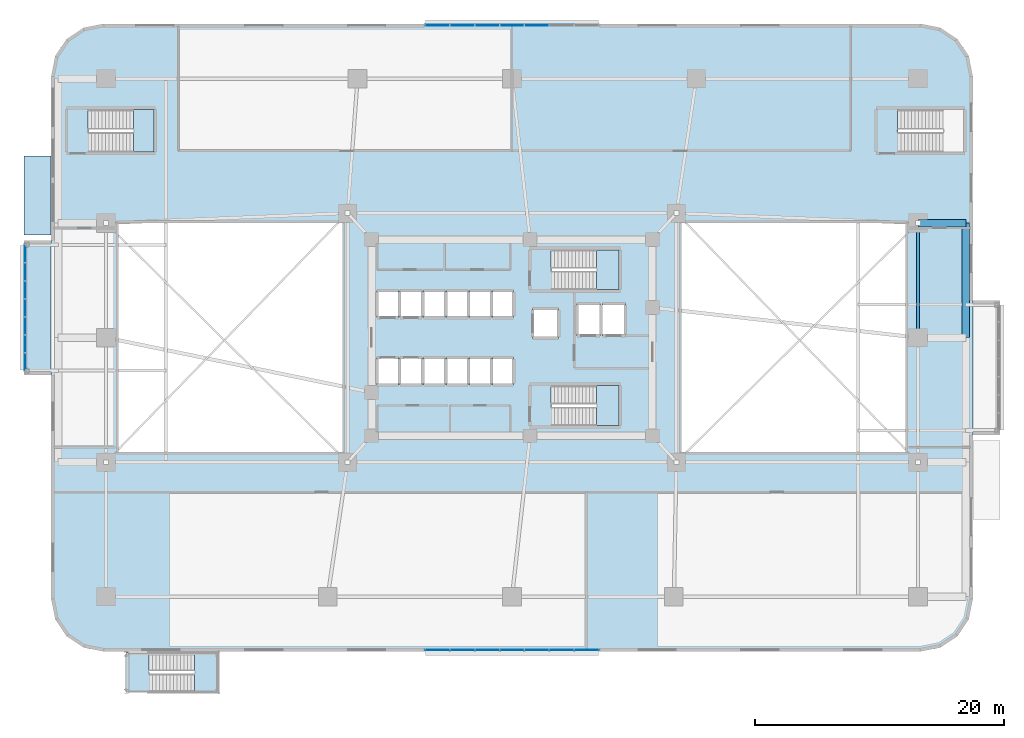
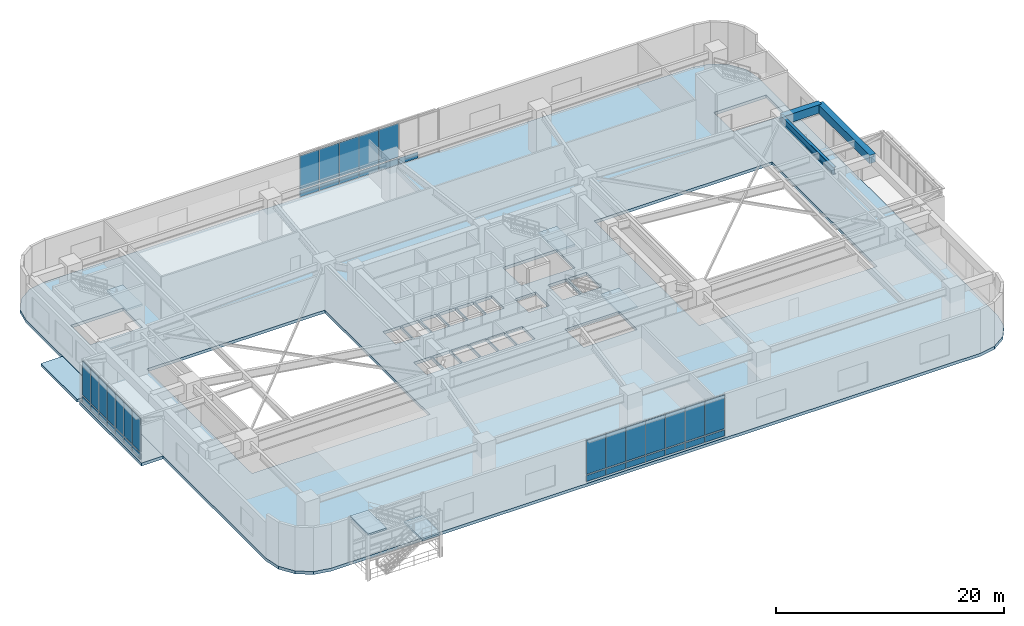
# One storey, part 15 of 26: 39 plates, 8 slabs, 3 beams, 7 elements without a shape of their own.
"""IFC4 building model written with IfcOpenShell, lengths in metres."""

from ifc_helpers import new_model, si_unit, direction, frame, origin, origin_2d, place, context, subcontext, project, spatial, polyline, rectangle, i_section, outline, extrude, material, layer, layer_set, material_profile, profile_set, type_object, element, aggregate, save


model = new_model("IFC4")

# Units and contexts
model_context = context("Model", 3, precision=1e-05, world=origin(), true_north=direction((0.0, 1.0)))
body_context = subcontext(model_context, "Body", "Model", "MODEL_VIEW")
ifc_project = project(units=[si_unit("LENGTHUNIT", "METRE"), si_unit("AREAUNIT", "SQUARE_METRE"), si_unit("VOLUMEUNIT", "CUBIC_METRE"), si_unit("PLANEANGLEUNIT", "RADIAN"), si_unit("MASSUNIT", "GRAM", prefix="KILO")], contexts=[model_context])

# Site, building, storey
site_placement = place(None, origin())
site = spatial("IfcSite", under=ifc_project, at=site_placement, CompositionType="ELEMENT")
building_placement = place(site_placement, origin())
building = spatial("IfcBuilding", under=site, at=building_placement, Name="Zulverin Broadcast Headquarters", CompositionType="ELEMENT")
storey_placement = place(building_placement, frame((0.0, 0.0, 15.0)))
storey = spatial("IfcBuildingStorey", under=building, at=storey_placement, Name="L03", CompositionType="ELEMENT", Elevation=15.0)

# Beams
ifc_material_1 = material(Name="Concrete C40/50", Category="concrete")
ifc_material_profile_1 = material_profile(ifc_material_1, rectangle(XDim=0.60009765625, YDim=0.89990234375, at=origin_2d()), Name="Concrete C40/50", Category="concrete")
ifc_profile_set_1 = profile_set([ifc_material_profile_1], Name="Concrete C40/50")
beam_type_1 = type_object("IfcBeamType", Name="BM-RC-600x900", PredefinedType="BEAM", material=ifc_profile_set_1)
beam_1_placement = place(storey_placement, frame((69.60009765625, 34.39990234375, 4.22998046875), z_axis=(1.0, 0.0, 0.0), x_axis=(0.0, 1.0, 0.0)))
element("IfcBeam", 1, at=beam_1_placement, inside=storey, type_object=beam_type_1, Name="L03 East Perimeter Bracket Girder EBR-4", PredefinedType="BEAM", context=body_context, shape_type="SweptSolid", body=[
    extrude(rectangle(XDim=0.60009765625, YDim=0.89990234375, at=origin_2d()), origin(), (0.0, 0.0, 1.0), 3.849853515625),
])
beam_2_placement = place(storey_placement, frame((73.449951171875, 25.199951171875, 4.22998046875), z_axis=(0.0, 1.0, 0.0), x_axis=(-1.0, 0.0, 0.0)))
element("IfcBeam", 2, at=beam_2_placement, inside=storey, type_object=beam_type_1, Name="L03 East Edge Spandrel Girder EEG-3", PredefinedType="BEAM", context=body_context, shape_type="SweptSolid", body=[
    extrude(rectangle(XDim=0.60009765625, YDim=0.89990234375, at=origin_2d()), origin(), (0.0, 0.0, 1.0), 9.199951171875),
])
ifc_material_2 = material(Name="Structural steel S355JR", Category="steel")
ifc_material_profile_2 = material_profile(ifc_material_2, i_section(OverallWidth=0.26806640625, OverallDepth=0.769775390625, WebThickness=0.015625, FlangeThickness=0.025390625, at=origin_2d()), Name="Structural steel S355JR", Category="steel")
ifc_profile_set_2 = profile_set([ifc_material_profile_2], Name="Structural steel S355JR")
beam_type_2 = type_object("IfcBeamType", Name="BM-UB-762", PredefinedType="BEAM", material=ifc_profile_set_2)
beam_3_placement = place(storey_placement, frame((69.60009765625, 25.199951171875, 4.295166015625), z_axis=(0.0, 1.0, 0.0), x_axis=(-1.0, 0.0, 0.0)))
element("IfcBeam", 3, at=beam_3_placement, inside=storey, type_object=beam_type_2, Name="L03 Podium Primary Girder P15-P16", PredefinedType="BEAM", context=body_context, shape_type="SweptSolid", body=[
    extrude(i_section(OverallWidth=0.26806640625, OverallDepth=0.769775390625, WebThickness=0.015625, FlangeThickness=0.025390625, at=origin_2d()), origin(), (0.0, 0.0, 1.0), 9.199951171875),
])

# Curtain wall, plates
ifc_material_3 = material(Name="Pale-metal unitised podium curtain wall", Category="aluminium")
curtain_wall_type_1 = type_object("IfcCurtainWallType", Name="CW-POD", PredefinedType="USERDEFINED", material=ifc_material_3)
curtain_wall_1_placement = place(storey_placement, origin())
curtain_wall_1 = element("IfcCurtainWall", 4, at=curtain_wall_1_placement, inside=storey, type_object=curtain_wall_type_1, Name="L03 Unitised Curtain Wall CW-L03-N2", ObjectType="UNITISED CURTAIN WALL", PredefinedType="USERDEFINED")
ifc_material_4 = material(Name="Low-E double-glazed pale-silver vision glass", Category="glass")
ifc_layer_1 = layer(ifc_material_4, 0.035888671875, Name="Low-E double-glazed pale-silver vision glass", Category="glass")
ifc_layer_set_1 = layer_set([ifc_layer_1], Name="Low-E double-glazed pale-silver vision glass")
plate_type_1 = type_object("IfcPlateType", Name="CW-PNL-GLZ", PredefinedType="CURTAIN_PANEL", material=ifc_layer_set_1)
plate_1_placement = place(storey_placement, frame((39.0, 50.280029296875, 0.9150390625), z_axis=(0.0, 0.0, 1.0), x_axis=(-1.0, 0.0, 0.0)))
plate_1 = element("IfcPlate", 5, at=plate_1_placement, type_object=plate_type_1, Name="CW-L03-N2 Vision Panel 02", PredefinedType="CURTAIN_PANEL", context=body_context, shape_type="SweptSolid", body=[
    extrude(rectangle(XDim=1.9599609375, YDim=0.035888671875, at=origin_2d()), origin(), (0.0, 0.0, 1.0), 3.625),
])
plate_2_placement = place(storey_placement, frame((37.0, 50.280029296875, 0.9150390625), z_axis=(0.0, 0.0, 1.0), x_axis=(-1.0, 0.0, 0.0)))
plate_2 = element("IfcPlate", 6, at=plate_2_placement, type_object=plate_type_1, Name="CW-L03-N2 Vision Panel 03", PredefinedType="CURTAIN_PANEL", context=body_context, shape_type="SweptSolid", body=[
    extrude(rectangle(XDim=1.9599609375, YDim=0.035888671875, at=origin_2d()), origin(), (0.0, 0.0, 1.0), 3.625),
])
plate_3_placement = place(storey_placement, frame((35.0, 50.280029296875, 0.9150390625), z_axis=(0.0, 0.0, 1.0), x_axis=(-1.0, 0.0, 0.0)))
plate_3 = element("IfcPlate", 7, at=plate_3_placement, type_object=plate_type_1, Name="CW-L03-N2 Vision Panel 04", PredefinedType="CURTAIN_PANEL", context=body_context, shape_type="SweptSolid", body=[
    extrude(rectangle(XDim=1.9599609375, YDim=0.035888671875, at=origin_2d()), origin(), (0.0, 0.0, 1.0), 3.625),
])
plate_4_placement = place(storey_placement, frame((33.0, 50.280029296875, 0.9150390625), z_axis=(0.0, 0.0, 1.0), x_axis=(-1.0, 0.0, 0.0)))
plate_4 = element("IfcPlate", 8, at=plate_4_placement, type_object=plate_type_1, Name="CW-L03-N2 Vision Panel 05", PredefinedType="CURTAIN_PANEL", context=body_context, shape_type="SweptSolid", body=[
    extrude(rectangle(XDim=1.9599609375, YDim=0.035888671875, at=origin_2d()), origin(), (0.0, 0.0, 1.0), 3.625),
])
plate_5_placement = place(storey_placement, frame((31.0, 50.280029296875, 0.9150390625), z_axis=(0.0, 0.0, 1.0), x_axis=(-1.0, 0.0, 0.0)))
plate_5 = element("IfcPlate", 9, at=plate_5_placement, type_object=plate_type_1, Name="CW-L03-N2 Vision Panel 06", PredefinedType="CURTAIN_PANEL", context=body_context, shape_type="SweptSolid", body=[
    extrude(rectangle(XDim=1.9599609375, YDim=0.035888671875, at=origin_2d()), origin(), (0.0, 0.0, 1.0), 3.625),
])

curtain_wall_2_placement = place(storey_placement, origin())
curtain_wall_2 = element("IfcCurtainWall", 10, at=curtain_wall_2_placement, inside=storey, type_object=curtain_wall_type_1, Name="L03 Unitised Curtain Wall CW-L03-S4", ObjectType="UNITISED CURTAIN WALL", PredefinedType="USERDEFINED")
plate_6_placement = place(storey_placement, frame((31.0, 0.1201171875, 0.9150390625), z_axis=(0.0, 0.0, 1.0), x_axis=(1.0, 0.0, 0.0)))
plate_6 = element("IfcPlate", 11, at=plate_6_placement, type_object=plate_type_1, Name="CW-L03-S4 Vision Panel 00", PredefinedType="CURTAIN_PANEL", context=body_context, shape_type="SweptSolid", body=[
    extrude(rectangle(XDim=1.9599609375, YDim=0.035888671875, at=origin_2d()), origin(), (0.0, 0.0, 1.0), 3.625),
])
plate_7_placement = place(storey_placement, frame((33.0, 0.1201171875, 0.9150390625), z_axis=(0.0, 0.0, 1.0), x_axis=(1.0, 0.0, 0.0)))
plate_7 = element("IfcPlate", 12, at=plate_7_placement, type_object=plate_type_1, Name="CW-L03-S4 Vision Panel 01", PredefinedType="CURTAIN_PANEL", context=body_context, shape_type="SweptSolid", body=[
    extrude(rectangle(XDim=1.9599609375, YDim=0.035888671875, at=origin_2d()), origin(), (0.0, 0.0, 1.0), 3.625),
])
plate_8_placement = place(storey_placement, frame((35.0, 0.1201171875, 0.9150390625), z_axis=(0.0, 0.0, 1.0), x_axis=(1.0, 0.0, 0.0)))
plate_8 = element("IfcPlate", 13, at=plate_8_placement, type_object=plate_type_1, Name="CW-L03-S4 Vision Panel 02", PredefinedType="CURTAIN_PANEL", context=body_context, shape_type="SweptSolid", body=[
    extrude(rectangle(XDim=1.9599609375, YDim=0.035888671875, at=origin_2d()), origin(), (0.0, 0.0, 1.0), 3.625),
])
plate_9_placement = place(storey_placement, frame((37.0, 0.1201171875, 0.9150390625), z_axis=(0.0, 0.0, 1.0), x_axis=(1.0, 0.0, 0.0)))
plate_9 = element("IfcPlate", 14, at=plate_9_placement, type_object=plate_type_1, Name="CW-L03-S4 Vision Panel 03", PredefinedType="CURTAIN_PANEL", context=body_context, shape_type="SweptSolid", body=[
    extrude(rectangle(XDim=1.9599609375, YDim=0.035888671875, at=origin_2d()), origin(), (0.0, 0.0, 1.0), 3.625),
])
plate_10_placement = place(storey_placement, frame((39.0, 0.1201171875, 0.9150390625), z_axis=(0.0, 0.0, 1.0), x_axis=(1.0, 0.0, 0.0)))
plate_10 = element("IfcPlate", 15, at=plate_10_placement, type_object=plate_type_1, Name="CW-L03-S4 Vision Panel 04", PredefinedType="CURTAIN_PANEL", context=body_context, shape_type="SweptSolid", body=[
    extrude(rectangle(XDim=1.9599609375, YDim=0.035888671875, at=origin_2d()), origin(), (0.0, 0.0, 1.0), 3.625),
])
plate_11_placement = place(storey_placement, frame((41.0, 0.1201171875, 0.9150390625), z_axis=(0.0, 0.0, 1.0), x_axis=(1.0, 0.0, 0.0)))
plate_11 = element("IfcPlate", 16, at=plate_11_placement, type_object=plate_type_1, Name="CW-L03-S4 Vision Panel 05", PredefinedType="CURTAIN_PANEL", context=body_context, shape_type="SweptSolid", body=[
    extrude(rectangle(XDim=1.9599609375, YDim=0.035888671875, at=origin_2d()), origin(), (0.0, 0.0, 1.0), 3.625),
])
plate_12_placement = place(storey_placement, frame((43.0, 0.1201171875, 0.9150390625), z_axis=(0.0, 0.0, 1.0), x_axis=(1.0, 0.0, 0.0)))
plate_12 = element("IfcPlate", 17, at=plate_12_placement, type_object=plate_type_1, Name="CW-L03-S4 Vision Panel 06", PredefinedType="CURTAIN_PANEL", context=body_context, shape_type="SweptSolid", body=[
    extrude(rectangle(XDim=1.9599609375, YDim=0.035888671875, at=origin_2d()), origin(), (0.0, 0.0, 1.0), 3.625),
])

ifc_material_5 = material(Name="Acoustic triple-glazed studio box curtain wall", Category="aluminium")
curtain_wall_type_2 = type_object("IfcCurtainWallType", Name="CW-SBOX", PredefinedType="USERDEFINED", material=ifc_material_5)
curtain_wall_3_placement = place(storey_placement, origin())
curtain_wall_3 = element("IfcCurtainWall", 18, at=curtain_wall_3_placement, inside=storey, type_object=curtain_wall_type_2, Name="L03 Unitised Curtain Wall CW-L03-SBOX_POD_UPPER_W1-F", ObjectType="UNITISED CURTAIN WALL", PredefinedType="USERDEFINED")
plate_13_placement = place(storey_placement, frame((-2.080078125, 31.954345703125, 0.9150390625), z_axis=(0.0, 0.0, 1.0), x_axis=(0.0, -1.0, 0.0)))
plate_13 = element("IfcPlate", 19, at=plate_13_placement, type_object=plate_type_1, Name="CW-L03-SBOX_POD_UPPER_W1-F Vision Panel 00", PredefinedType="CURTAIN_PANEL", context=body_context, shape_type="SweptSolid", body=[
    extrude(rectangle(XDim=1.411376953125, YDim=0.035888671875, at=origin_2d()), origin(), (0.0, 0.0, 1.0), 3.625),
])
plate_14_placement = place(storey_placement, frame((-2.080078125, 30.5029296875, 0.9150390625), z_axis=(0.0, 0.0, 1.0), x_axis=(0.0, -1.0, 0.0)))
plate_14 = element("IfcPlate", 20, at=plate_14_placement, type_object=plate_type_1, Name="CW-L03-SBOX_POD_UPPER_W1-F Vision Panel 01", PredefinedType="CURTAIN_PANEL", context=body_context, shape_type="SweptSolid", body=[
    extrude(rectangle(XDim=1.411376953125, YDim=0.035888671875, at=origin_2d()), origin(), (0.0, 0.0, 1.0), 3.625),
])
plate_15_placement = place(storey_placement, frame((-2.080078125, 29.051513671875, 0.9150390625), z_axis=(0.0, 0.0, 1.0), x_axis=(0.0, -1.0, 0.0)))
plate_15 = element("IfcPlate", 21, at=plate_15_placement, type_object=plate_type_1, Name="CW-L03-SBOX_POD_UPPER_W1-F Vision Panel 02", PredefinedType="CURTAIN_PANEL", context=body_context, shape_type="SweptSolid", body=[
    extrude(rectangle(XDim=1.411376953125, YDim=0.035888671875, at=origin_2d()), origin(), (0.0, 0.0, 1.0), 3.625),
])
plate_16_placement = place(storey_placement, frame((-2.080078125, 27.60009765625, 0.9150390625), z_axis=(0.0, 0.0, 1.0), x_axis=(0.0, -1.0, 0.0)))
plate_16 = element("IfcPlate", 22, at=plate_16_placement, type_object=plate_type_1, Name="CW-L03-SBOX_POD_UPPER_W1-F Vision Panel 03", PredefinedType="CURTAIN_PANEL", context=body_context, shape_type="SweptSolid", body=[
    extrude(rectangle(XDim=1.411376953125, YDim=0.035888671875, at=origin_2d()), origin(), (0.0, 0.0, 1.0), 3.625),
])
plate_17_placement = place(storey_placement, frame((-2.080078125, 26.148681640625, 0.9150390625), z_axis=(0.0, 0.0, 1.0), x_axis=(0.0, -1.0, 0.0)))
plate_17 = element("IfcPlate", 23, at=plate_17_placement, type_object=plate_type_1, Name="CW-L03-SBOX_POD_UPPER_W1-F Vision Panel 04", PredefinedType="CURTAIN_PANEL", context=body_context, shape_type="SweptSolid", body=[
    extrude(rectangle(XDim=1.411376953125, YDim=0.035888671875, at=origin_2d()), origin(), (0.0, 0.0, 1.0), 3.625),
])
plate_18_placement = place(storey_placement, frame((-2.080078125, 24.697021484375, 0.9150390625), z_axis=(0.0, 0.0, 1.0), x_axis=(0.0, -1.0, 0.0)))
plate_18 = element("IfcPlate", 24, at=plate_18_placement, type_object=plate_type_1, Name="CW-L03-SBOX_POD_UPPER_W1-F Vision Panel 05", PredefinedType="CURTAIN_PANEL", context=body_context, shape_type="SweptSolid", body=[
    extrude(rectangle(XDim=1.411376953125, YDim=0.035888671875, at=origin_2d()), origin(), (0.0, 0.0, 1.0), 3.625),
])
plate_19_placement = place(storey_placement, frame((-2.080078125, 23.24560546875, 0.9150390625), z_axis=(0.0, 0.0, 1.0), x_axis=(0.0, -1.0, 0.0)))
plate_19 = element("IfcPlate", 25, at=plate_19_placement, type_object=plate_type_1, Name="CW-L03-SBOX_POD_UPPER_W1-F Vision Panel 06", PredefinedType="CURTAIN_PANEL", context=body_context, shape_type="SweptSolid", body=[
    extrude(rectangle(XDim=1.411376953125, YDim=0.035888671875, at=origin_2d()), origin(), (0.0, 0.0, 1.0), 3.625),
])

# Plate
ifc_material_6 = material(Name="Insulated brushed pale-aluminium spandrel cassette", Category="aluminium")
ifc_layer_2 = layer(ifc_material_6, 0.050048828125, Name="Insulated brushed pale-aluminium spandrel cassette", Category="aluminium")
ifc_layer_set_2 = layer_set([ifc_layer_2], Name="Insulated brushed pale-aluminium spandrel cassette")
plate_type_2 = type_object("IfcPlateType", Name="CW-PNL-SPN", PredefinedType="CURTAIN_PANEL", material=ifc_layer_set_2)
plate_20_placement = place(storey_placement, frame((41.0, 50.280029296875, 0.139892578125), z_axis=(0.0, 0.0, 1.0), x_axis=(-1.0, 0.0, 0.0)))
plate_20 = element("IfcPlate", 26, at=plate_20_placement, type_object=plate_type_2, Name="CW-L03-N2 Spandrel Cassette 01", PredefinedType="CURTAIN_PANEL", context=body_context, shape_type="SweptSolid", body=[
    extrude(rectangle(XDim=1.9599609375, YDim=0.050048828125, at=origin_2d()), origin(), (0.0, 0.0, 1.0), 0.64501953125),
])

plate_21_placement = place(storey_placement, frame((39.0, 50.280029296875, 0.139892578125), z_axis=(0.0, 0.0, 1.0), x_axis=(-1.0, 0.0, 0.0)))
plate_21 = element("IfcPlate", 27, at=plate_21_placement, type_object=plate_type_2, Name="CW-L03-N2 Spandrel Cassette 02", PredefinedType="CURTAIN_PANEL", context=body_context, shape_type="SweptSolid", body=[
    extrude(rectangle(XDim=1.9599609375, YDim=0.050048828125, at=origin_2d()), origin(), (0.0, 0.0, 1.0), 0.64501953125),
])

plate_22_placement = place(storey_placement, frame((37.0, 50.280029296875, 0.139892578125), z_axis=(0.0, 0.0, 1.0), x_axis=(-1.0, 0.0, 0.0)))
plate_22 = element("IfcPlate", 28, at=plate_22_placement, type_object=plate_type_2, Name="CW-L03-N2 Spandrel Cassette 03", PredefinedType="CURTAIN_PANEL", context=body_context, shape_type="SweptSolid", body=[
    extrude(rectangle(XDim=1.9599609375, YDim=0.050048828125, at=origin_2d()), origin(), (0.0, 0.0, 1.0), 0.64501953125),
])

plate_23_placement = place(storey_placement, frame((35.0, 50.280029296875, 0.139892578125), z_axis=(0.0, 0.0, 1.0), x_axis=(-1.0, 0.0, 0.0)))
plate_23 = element("IfcPlate", 29, at=plate_23_placement, type_object=plate_type_2, Name="CW-L03-N2 Spandrel Cassette 04", PredefinedType="CURTAIN_PANEL", context=body_context, shape_type="SweptSolid", body=[
    extrude(rectangle(XDim=1.9599609375, YDim=0.050048828125, at=origin_2d()), origin(), (0.0, 0.0, 1.0), 0.64501953125),
])

plate_24_placement = place(storey_placement, frame((33.0, 50.280029296875, 0.139892578125), z_axis=(0.0, 0.0, 1.0), x_axis=(-1.0, 0.0, 0.0)))
plate_24 = element("IfcPlate", 30, at=plate_24_placement, type_object=plate_type_2, Name="CW-L03-N2 Spandrel Cassette 05", PredefinedType="CURTAIN_PANEL", context=body_context, shape_type="SweptSolid", body=[
    extrude(rectangle(XDim=1.9599609375, YDim=0.050048828125, at=origin_2d()), origin(), (0.0, 0.0, 1.0), 0.64501953125),
])

plate_25_placement = place(storey_placement, frame((31.0, 50.280029296875, 0.139892578125), z_axis=(0.0, 0.0, 1.0), x_axis=(-1.0, 0.0, 0.0)))
plate_25 = element("IfcPlate", 31, at=plate_25_placement, type_object=plate_type_2, Name="CW-L03-N2 Spandrel Cassette 06", PredefinedType="CURTAIN_PANEL", context=body_context, shape_type="SweptSolid", body=[
    extrude(rectangle(XDim=1.9599609375, YDim=0.050048828125, at=origin_2d()), origin(), (0.0, 0.0, 1.0), 0.64501953125),
])

aggregate(curtain_wall_1, [plate_20, plate_21, plate_1, plate_22, plate_2, plate_23, plate_3, plate_24, plate_4, plate_25, plate_5])

plate_26_placement = place(storey_placement, frame((31.0, 0.1201171875, 0.139892578125), z_axis=(0.0, 0.0, 1.0), x_axis=(1.0, 0.0, 0.0)))
plate_26 = element("IfcPlate", 32, at=plate_26_placement, type_object=plate_type_2, Name="CW-L03-S4 Spandrel Cassette 00", PredefinedType="CURTAIN_PANEL", context=body_context, shape_type="SweptSolid", body=[
    extrude(rectangle(XDim=1.9599609375, YDim=0.050048828125, at=origin_2d()), origin(), (0.0, 0.0, 1.0), 0.64501953125),
])

plate_27_placement = place(storey_placement, frame((33.0, 0.1201171875, 0.139892578125), z_axis=(0.0, 0.0, 1.0), x_axis=(1.0, 0.0, 0.0)))
plate_27 = element("IfcPlate", 33, at=plate_27_placement, type_object=plate_type_2, Name="CW-L03-S4 Spandrel Cassette 01", PredefinedType="CURTAIN_PANEL", context=body_context, shape_type="SweptSolid", body=[
    extrude(rectangle(XDim=1.9599609375, YDim=0.050048828125, at=origin_2d()), origin(), (0.0, 0.0, 1.0), 0.64501953125),
])

plate_28_placement = place(storey_placement, frame((35.0, 0.1201171875, 0.139892578125), z_axis=(0.0, 0.0, 1.0), x_axis=(1.0, 0.0, 0.0)))
plate_28 = element("IfcPlate", 34, at=plate_28_placement, type_object=plate_type_2, Name="CW-L03-S4 Spandrel Cassette 02", PredefinedType="CURTAIN_PANEL", context=body_context, shape_type="SweptSolid", body=[
    extrude(rectangle(XDim=1.9599609375, YDim=0.050048828125, at=origin_2d()), origin(), (0.0, 0.0, 1.0), 0.64501953125),
])

plate_29_placement = place(storey_placement, frame((37.0, 0.1201171875, 0.139892578125), z_axis=(0.0, 0.0, 1.0), x_axis=(1.0, 0.0, 0.0)))
plate_29 = element("IfcPlate", 35, at=plate_29_placement, type_object=plate_type_2, Name="CW-L03-S4 Spandrel Cassette 03", PredefinedType="CURTAIN_PANEL", context=body_context, shape_type="SweptSolid", body=[
    extrude(rectangle(XDim=1.9599609375, YDim=0.050048828125, at=origin_2d()), origin(), (0.0, 0.0, 1.0), 0.64501953125),
])

plate_30_placement = place(storey_placement, frame((39.0, 0.1201171875, 0.139892578125), z_axis=(0.0, 0.0, 1.0), x_axis=(1.0, 0.0, 0.0)))
plate_30 = element("IfcPlate", 36, at=plate_30_placement, type_object=plate_type_2, Name="CW-L03-S4 Spandrel Cassette 04", PredefinedType="CURTAIN_PANEL", context=body_context, shape_type="SweptSolid", body=[
    extrude(rectangle(XDim=1.9599609375, YDim=0.050048828125, at=origin_2d()), origin(), (0.0, 0.0, 1.0), 0.64501953125),
])

plate_31_placement = place(storey_placement, frame((41.0, 0.1201171875, 0.139892578125), z_axis=(0.0, 0.0, 1.0), x_axis=(1.0, 0.0, 0.0)))
plate_31 = element("IfcPlate", 37, at=plate_31_placement, type_object=plate_type_2, Name="CW-L03-S4 Spandrel Cassette 05", PredefinedType="CURTAIN_PANEL", context=body_context, shape_type="SweptSolid", body=[
    extrude(rectangle(XDim=1.9599609375, YDim=0.050048828125, at=origin_2d()), origin(), (0.0, 0.0, 1.0), 0.64501953125),
])

plate_32_placement = place(storey_placement, frame((43.0, 0.1201171875, 0.139892578125), z_axis=(0.0, 0.0, 1.0), x_axis=(1.0, 0.0, 0.0)))
plate_32 = element("IfcPlate", 38, at=plate_32_placement, type_object=plate_type_2, Name="CW-L03-S4 Spandrel Cassette 06", PredefinedType="CURTAIN_PANEL", context=body_context, shape_type="SweptSolid", body=[
    extrude(rectangle(XDim=1.9599609375, YDim=0.050048828125, at=origin_2d()), origin(), (0.0, 0.0, 1.0), 0.64501953125),
])

aggregate(curtain_wall_2, [plate_26, plate_6, plate_27, plate_7, plate_28, plate_8, plate_29, plate_9, plate_30, plate_10, plate_31, plate_11, plate_32, plate_12])

plate_33_placement = place(storey_placement, frame((-2.080078125, 31.954345703125, 0.139892578125), z_axis=(0.0, 0.0, 1.0), x_axis=(0.0, -1.0, 0.0)))
plate_33 = element("IfcPlate", 39, at=plate_33_placement, type_object=plate_type_2, Name="CW-L03-SBOX_POD_UPPER_W1-F Spandrel Cassette 00", PredefinedType="CURTAIN_PANEL", context=body_context, shape_type="SweptSolid", body=[
    extrude(rectangle(XDim=1.411376953125, YDim=0.050048828125, at=origin_2d()), origin(), (0.0, 0.0, 1.0), 0.64501953125),
])

plate_34_placement = place(storey_placement, frame((-2.080078125, 30.5029296875, 0.139892578125), z_axis=(0.0, 0.0, 1.0), x_axis=(0.0, -1.0, 0.0)))
plate_34 = element("IfcPlate", 40, at=plate_34_placement, type_object=plate_type_2, Name="CW-L03-SBOX_POD_UPPER_W1-F Spandrel Cassette 01", PredefinedType="CURTAIN_PANEL", context=body_context, shape_type="SweptSolid", body=[
    extrude(rectangle(XDim=1.411376953125, YDim=0.050048828125, at=origin_2d()), origin(), (0.0, 0.0, 1.0), 0.64501953125),
])

plate_35_placement = place(storey_placement, frame((-2.080078125, 29.051513671875, 0.139892578125), z_axis=(0.0, 0.0, 1.0), x_axis=(0.0, -1.0, 0.0)))
plate_35 = element("IfcPlate", 41, at=plate_35_placement, type_object=plate_type_2, Name="CW-L03-SBOX_POD_UPPER_W1-F Spandrel Cassette 02", PredefinedType="CURTAIN_PANEL", context=body_context, shape_type="SweptSolid", body=[
    extrude(rectangle(XDim=1.411376953125, YDim=0.050048828125, at=origin_2d()), origin(), (0.0, 0.0, 1.0), 0.64501953125),
])

plate_36_placement = place(storey_placement, frame((-2.080078125, 27.60009765625, 0.139892578125), z_axis=(0.0, 0.0, 1.0), x_axis=(0.0, -1.0, 0.0)))
plate_36 = element("IfcPlate", 42, at=plate_36_placement, type_object=plate_type_2, Name="CW-L03-SBOX_POD_UPPER_W1-F Spandrel Cassette 03", PredefinedType="CURTAIN_PANEL", context=body_context, shape_type="SweptSolid", body=[
    extrude(rectangle(XDim=1.411376953125, YDim=0.050048828125, at=origin_2d()), origin(), (0.0, 0.0, 1.0), 0.64501953125),
])

plate_37_placement = place(storey_placement, frame((-2.080078125, 26.148681640625, 0.139892578125), z_axis=(0.0, 0.0, 1.0), x_axis=(0.0, -1.0, 0.0)))
plate_37 = element("IfcPlate", 43, at=plate_37_placement, type_object=plate_type_2, Name="CW-L03-SBOX_POD_UPPER_W1-F Spandrel Cassette 04", PredefinedType="CURTAIN_PANEL", context=body_context, shape_type="SweptSolid", body=[
    extrude(rectangle(XDim=1.411376953125, YDim=0.050048828125, at=origin_2d()), origin(), (0.0, 0.0, 1.0), 0.64501953125),
])

plate_38_placement = place(storey_placement, frame((-2.080078125, 24.697021484375, 0.139892578125), z_axis=(0.0, 0.0, 1.0), x_axis=(0.0, -1.0, 0.0)))
plate_38 = element("IfcPlate", 44, at=plate_38_placement, type_object=plate_type_2, Name="CW-L03-SBOX_POD_UPPER_W1-F Spandrel Cassette 05", PredefinedType="CURTAIN_PANEL", context=body_context, shape_type="SweptSolid", body=[
    extrude(rectangle(XDim=1.411376953125, YDim=0.050048828125, at=origin_2d()), origin(), (0.0, 0.0, 1.0), 0.64501953125),
])

plate_39_placement = place(storey_placement, frame((-2.080078125, 23.24560546875, 0.139892578125), z_axis=(0.0, 0.0, 1.0), x_axis=(0.0, -1.0, 0.0)))
plate_39 = element("IfcPlate", 45, at=plate_39_placement, type_object=plate_type_2, Name="CW-L03-SBOX_POD_UPPER_W1-F Spandrel Cassette 06", PredefinedType="CURTAIN_PANEL", context=body_context, shape_type="SweptSolid", body=[
    extrude(rectangle(XDim=1.411376953125, YDim=0.050048828125, at=origin_2d()), origin(), (0.0, 0.0, 1.0), 0.64501953125),
])

aggregate(curtain_wall_3, [plate_33, plate_13, plate_34, plate_14, plate_35, plate_15, plate_36, plate_16, plate_37, plate_17, plate_38, plate_18, plate_39, plate_19])

# Slabs
ifc_layer_3 = layer(ifc_material_1, 0.300048828125, Name="Concrete C40/50", Category="concrete")
ifc_layer_set_3 = layer_set([ifc_layer_3], Name="Concrete C40/50")
slab_type_1 = type_object("IfcSlabType", Name="SLB-POD-300", PredefinedType="FLOOR", material=ifc_layer_set_3)
slab_1_placement = place(storey_placement, frame((0.0, 0.0, -0.320068359375)))
element("IfcSlab", 46, at=slab_1_placement, inside=storey, type_object=slab_type_1, Name="L03 Shifted Studio Box Acoustic Closure Slab SBOX_POD_LOWER_W1", PredefinedType="FLOOR", context=body_context, shape_type="SweptSolid", body=[
    extrude(outline(polyline([(0.0, 39.800048828125), (-2.199951171875, 39.800048828125), (-2.199951171875, 33.451904296875), (0.0, 33.451904296875), (0.0, 39.800048828125)])), origin(), (0.0, 0.0, 1.0), 0.300048828125),
])
ifc_layer_4 = layer(ifc_material_1, 0.320068359375, Name="Concrete C40/50", Category="concrete")
ifc_layer_set_4 = layer_set([ifc_layer_4], Name="Concrete C40/50")
slab_type_2 = type_object("IfcSlabType", Name="SLB-POD-320", PredefinedType="FLOOR", material=ifc_layer_set_4)
slab_2_placement = place(storey_placement, frame((0.0, 0.0, -0.320068359375)))
element("IfcSlab", 47, at=slab_2_placement, inside=storey, type_object=slab_type_2, Name="L03 Main Structural Floor Slab", PredefinedType="FLOOR", context=body_context, shape_type="SweptSolid", body=[
    extrude(outline(polyline([(69.800048828125, 0.0), (71.4072265625, 0.319580078125), (72.769775390625, 1.230224609375), (73.680419921875, 2.5927734375), (74.0, 4.199951171875), (74.0, 46.199951171875), (73.680419921875, 47.807373046875), (72.769775390625, 49.169921875), (71.4072265625, 50.080322265625), (69.800048828125, 50.39990234375), (4.199951171875, 50.39990234375), (2.5927734375, 50.080322265625), (1.230224609375, 49.169921875), (0.319580078125, 47.807373046875), (0.0, 46.199951171875), (0.0, 4.199951171875), (0.319580078125, 2.5927734375), (1.230224609375, 1.230224609375), (2.5927734375, 0.319580078125), (4.199951171875, 0.0), (69.800048828125, 0.0)]), holes=[polyline([(40.155029296875, 30.75), (40.13037109375, 30.75), (40.13037109375, 32.25), (45.60009765625, 32.25), (45.60009765625, 29.050048828125), (40.155029296875, 29.050048828125), (40.155029296875, 30.75)]), polyline([(40.155029296875, 19.85009765625), (40.13037109375, 19.85009765625), (40.13037109375, 21.35009765625), (45.60009765625, 21.35009765625), (45.60009765625, 18.14990234375), (40.155029296875, 18.14990234375), (40.155029296875, 19.85009765625)]), polyline([(2.9951171875, 41.89990234375), (2.970458984375, 41.89990234375), (2.970458984375, 43.5), (8.25, 43.5), (8.25, 40.10009765625), (2.9951171875, 40.10009765625), (2.9951171875, 41.89990234375)]), polyline([(67.9951171875, 41.89990234375), (67.970458984375, 41.89990234375), (67.970458984375, 43.5), (73.25, 43.5), (73.25, 40.10009765625), (67.9951171875, 40.10009765625), (67.9951171875, 41.89990234375)]), polyline([(26.14990234375, 26.800048828125), (27.89990234375, 26.800048828125), (27.89990234375, 29.0), (26.14990234375, 29.0), (26.14990234375, 26.800048828125)]), polyline([(28.02001953125, 26.800048828125), (29.77001953125, 26.800048828125), (29.77001953125, 29.0), (28.02001953125, 29.0), (28.02001953125, 26.800048828125)]), polyline([(26.14990234375, 21.39990234375), (27.89990234375, 21.39990234375), (27.89990234375, 23.60009765625), (26.14990234375, 23.60009765625), (26.14990234375, 21.39990234375)]), polyline([(28.02001953125, 21.39990234375), (29.77001953125, 21.39990234375), (29.77001953125, 23.60009765625), (28.02001953125, 23.60009765625), (28.02001953125, 21.39990234375)]), polyline([(29.89990234375, 21.39990234375), (31.6201171875, 21.39990234375), (31.6201171875, 23.60009765625), (29.89990234375, 23.60009765625), (29.89990234375, 21.39990234375)]), polyline([(31.739990234375, 21.39990234375), (33.4599609375, 21.39990234375), (33.4599609375, 23.60009765625), (31.739990234375, 23.60009765625), (31.739990234375, 21.39990234375)]), polyline([(33.580078125, 21.39990234375), (35.300048828125, 21.39990234375), (35.300048828125, 23.60009765625), (33.580078125, 23.60009765625), (33.580078125, 21.39990234375)]), polyline([(35.419921875, 21.39990234375), (37.139892578125, 21.39990234375), (37.139892578125, 23.60009765625), (35.419921875, 23.60009765625), (35.419921875, 21.39990234375)]), polyline([(29.89990234375, 26.800048828125), (31.6201171875, 26.800048828125), (31.6201171875, 29.0), (29.89990234375, 29.0), (29.89990234375, 26.800048828125)]), polyline([(31.739990234375, 26.800048828125), (33.4599609375, 26.800048828125), (33.4599609375, 29.0), (31.739990234375, 29.0), (31.739990234375, 26.800048828125)]), polyline([(33.580078125, 26.800048828125), (35.300048828125, 26.800048828125), (35.300048828125, 29.0), (33.580078125, 29.0), (33.580078125, 26.800048828125)]), polyline([(35.419921875, 26.800048828125), (37.139892578125, 26.800048828125), (37.139892578125, 29.0), (35.419921875, 29.0), (35.419921875, 26.800048828125)]), polyline([(42.199951171875, 25.35009765625), (44.050048828125, 25.35009765625), (44.050048828125, 27.949951171875), (42.199951171875, 27.949951171875), (42.199951171875, 25.35009765625)]), polyline([(44.25, 25.35009765625), (46.10009765625, 25.35009765625), (46.10009765625, 27.949951171875), (44.25, 27.949951171875), (44.25, 25.35009765625)]), polyline([(38.64990234375, 25.14990234375), (40.75, 25.14990234375), (40.75, 27.550048828125), (38.64990234375, 27.550048828125), (38.64990234375, 25.14990234375)]), polyline([(5.39990234375, 16.0), (23.39990234375, 16.0), (23.39990234375, 34.39990234375), (5.39990234375, 34.39990234375), (5.39990234375, 16.0)]), polyline([(50.60009765625, 16.0), (68.60009765625, 16.0), (68.60009765625, 34.39990234375), (50.60009765625, 34.39990234375), (50.60009765625, 16.0)])]), origin(), (0.0, 0.0, 1.0), 0.320068359375),
])
slab_3_placement = place(storey_placement, frame((0.0, 0.0, -0.320068359375)))
element("IfcSlab", 48, at=slab_3_placement, inside=storey, type_object=slab_type_2, Name="L03 Shifted Broadcast Studio Box Floor Slab SBOX_POD_UPPER_W1", PredefinedType="FLOOR", context=body_context, shape_type="SweptSolid", body=[
    extrude(outline(polyline([(-2.199951171875, 22.199951171875), (0.0, 22.199951171875), (0.0, 33.0), (-2.199951171875, 33.0), (-2.199951171875, 22.199951171875)])), origin(), (0.0, 0.0, 1.0), 0.320068359375),
])

# Stair, slab
stair_type_1 = type_object("IfcStairType", Name="ST-CORE-1500", PredefinedType="HALF_TURN_STAIR", material=ifc_material_1)
stair_1_placement = place(storey_placement, origin())
stair_1 = element("IfcStair", 49, at=stair_1_placement, inside=storey, type_object=stair_type_1, Name="L03 Core Exit Stair ST-1", PredefinedType="HALF_TURN_STAIR")
ifc_layer_5 = layer(ifc_material_1, 0.199951171875, Name="Concrete C40/50", Category="concrete")
ifc_layer_set_5 = layer_set([ifc_layer_5], Name="Concrete C40/50")
slab_type_3 = type_object("IfcSlabType", Name="SLB-ST-LND200", PredefinedType="LANDING", material=ifc_layer_set_5)
slab_4_placement = place(storey_placement, frame((0.0, 0.0, 2.300048828125)))
slab_4 = element("IfcSlab", 50, at=slab_4_placement, type_object=slab_type_3, Name="ST-1 landing 1", PredefinedType="LANDING", context=body_context, shape_type="SweptSolid", body=[
    extrude(outline(polyline([(43.77001953125, 29.050048828125), (45.60009765625, 29.050048828125), (45.60009765625, 32.25), (43.77001953125, 32.25), (43.77001953125, 29.050048828125)])), origin(), (0.0, 0.0, 1.0), 0.199951171875),
])
aggregate(stair_1, [slab_4])

stair_2_placement = place(storey_placement, origin())
stair_2 = element("IfcStair", 51, at=stair_2_placement, inside=storey, type_object=stair_type_1, Name="L03 Core Exit Stair ST-2", PredefinedType="HALF_TURN_STAIR")
slab_5_placement = place(storey_placement, frame((0.0, 0.0, 2.300048828125)))
slab_5 = element("IfcSlab", 52, at=slab_5_placement, type_object=slab_type_3, Name="ST-2 landing 1", PredefinedType="LANDING", context=body_context, shape_type="SweptSolid", body=[
    extrude(outline(polyline([(43.77001953125, 18.14990234375), (45.60009765625, 18.14990234375), (45.60009765625, 21.35009765625), (43.77001953125, 21.35009765625), (43.77001953125, 18.14990234375)])), origin(), (0.0, 0.0, 1.0), 0.199951171875),
])
aggregate(stair_2, [slab_5])

stair_type_2 = type_object("IfcStairType", Name="ST-POD-1600", PredefinedType="HALF_TURN_STAIR", material=ifc_material_1)
stair_3_placement = place(storey_placement, origin())
stair_3 = element("IfcStair", 53, at=stair_3_placement, inside=storey, type_object=stair_type_2, Name="L03 Podium Exit Stair ST-3", PredefinedType="HALF_TURN_STAIR")
slab_6_placement = place(storey_placement, frame((0.0, 0.0, 2.300048828125)))
slab_6 = element("IfcSlab", 54, at=slab_6_placement, type_object=slab_type_3, Name="ST-3 landing 1", PredefinedType="LANDING", context=body_context, shape_type="SweptSolid", body=[
    extrude(outline(polyline([(6.610107421875, 40.10009765625), (8.25, 40.10009765625), (8.25, 43.5), (6.610107421875, 43.5), (6.610107421875, 40.10009765625)])), origin(), (0.0, 0.0, 1.0), 0.199951171875),
])
aggregate(stair_3, [slab_6])

# Stair, slabs
stair_type_3 = type_object("IfcStairType", Name="ST-GDN-1500", PredefinedType="HALF_TURN_STAIR", material=ifc_material_1)
stair_4_placement = place(storey_placement, origin())
stair_4 = element("IfcStair", 55, at=stair_4_placement, inside=storey, type_object=stair_type_3, Name="L03 Exterior Public Garden Stair ST-5", PredefinedType="HALF_TURN_STAIR")
slab_7_placement = place(storey_placement, frame((0.0, 0.0, 2.300048828125)))
slab_7 = element("IfcSlab", 56, at=slab_7_placement, type_object=slab_type_3, Name="ST-5 landing 1", PredefinedType="LANDING", context=body_context, shape_type="SweptSolid", body=[
    extrude(outline(polyline([(11.489990234375, -3.280029296875), (13.39990234375, -3.280029296875), (13.39990234375, -0.080078125), (11.489990234375, -0.080078125), (11.489990234375, -3.280029296875)])), origin(), (0.0, 0.0, 1.0), 0.199951171875),
])
placement = place(building_placement, frame((0.0, 0.0, 20.0)))
slab_8_placement = place(placement, frame((0.0, 0.0, -0.199951171875)))
slab_8 = element("IfcSlab", 57, at=slab_8_placement, type_object=slab_type_3, Name="L04 Exterior Garden Stair Floor Landing", PredefinedType="LANDING", context=body_context, shape_type="SweptSolid", body=[
    extrude(outline(polyline([(6.02001953125, -3.280029296875), (7.875, -3.280029296875), (7.875, -1.679931640625), (7.850341796875, -1.679931640625), (7.850341796875, -0.080078125), (6.02001953125, -0.080078125), (6.02001953125, -3.280029296875)])), origin(), (0.0, 0.0, 1.0), 0.199951171875),
])
aggregate(stair_4, [slab_7, slab_8])

save(model, "model.ifc")
